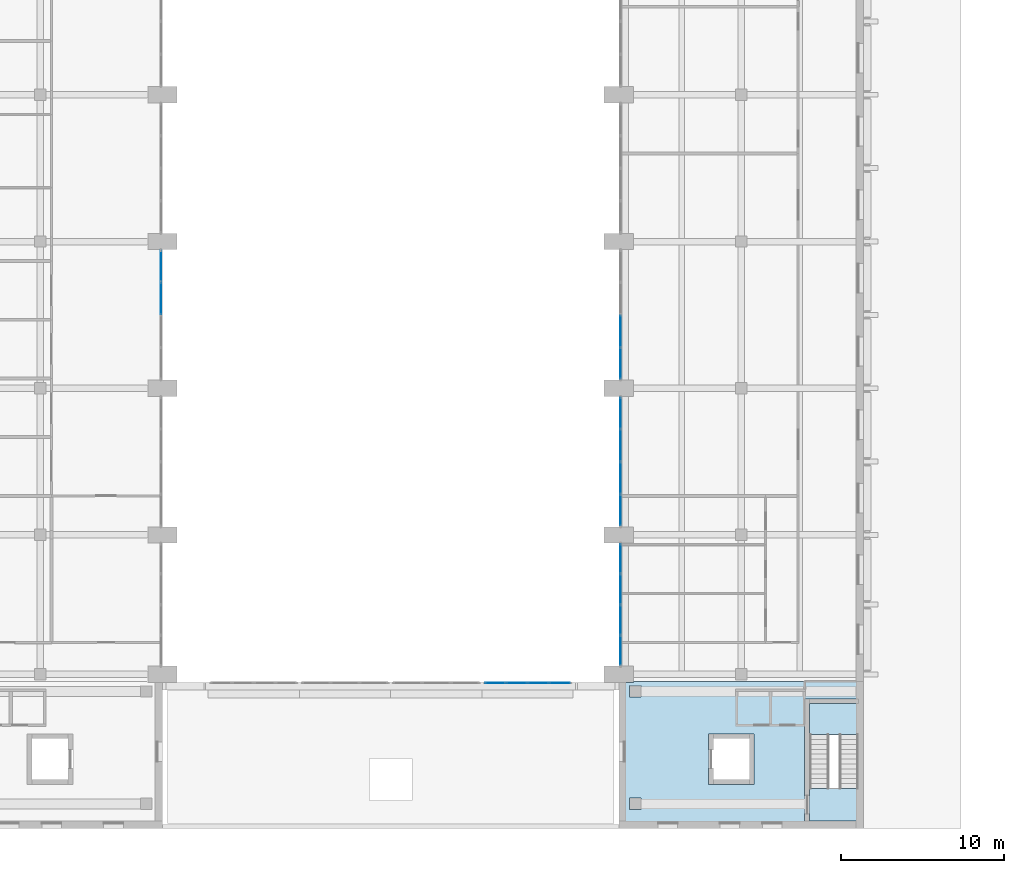
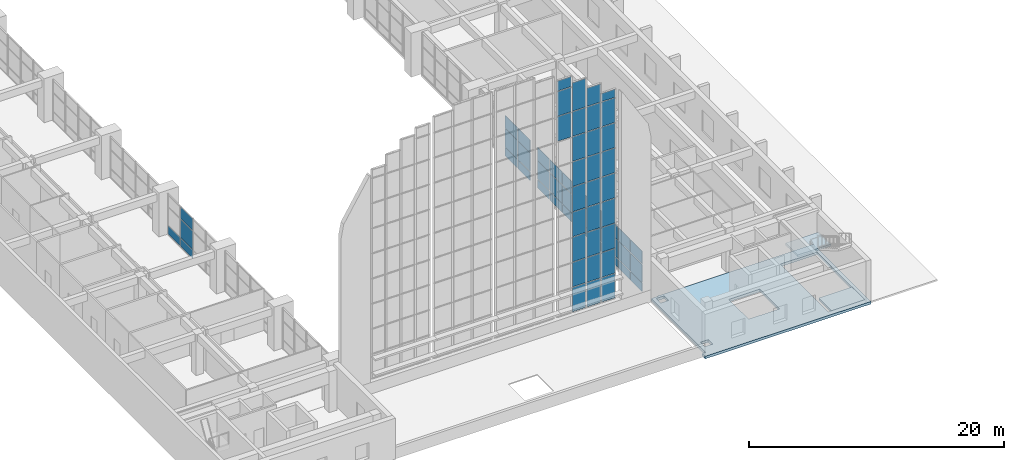
# One storey, part 20 of 45: 64 plates, 3 slabs, 9 elements without a shape of their own.
"""IFC4 building model written with IfcOpenShell, lengths in metres."""

from ifc_helpers import new_model, si_unit, direction, frame, origin, origin_2d, place, context, subcontext, project, spatial, polyline, rectangle, outline, extrude, material, layer, layer_set, type_object, element, aggregate, save


model = new_model("IFC4")

# Units and contexts
model_context = context("Model", 3, precision=1e-05, world=origin(), true_north=direction((0.0, 1.0)))
body_context = subcontext(model_context, "Body", "Model", "MODEL_VIEW")
ifc_project = project(units=[si_unit("LENGTHUNIT", "METRE"), si_unit("AREAUNIT", "SQUARE_METRE"), si_unit("VOLUMEUNIT", "CUBIC_METRE"), si_unit("PLANEANGLEUNIT", "RADIAN"), si_unit("MASSUNIT", "GRAM", prefix="KILO")], contexts=[model_context])

# Site, building, storey
site_placement = place(None, origin())
site = spatial("IfcSite", under=ifc_project, at=site_placement, CompositionType="ELEMENT")
building_placement = place(site_placement, origin())
building = spatial("IfcBuilding", under=site, at=building_placement, Name="Elmora Arch Market Hall", CompositionType="ELEMENT")
storey_placement = place(building_placement, frame((0.0, 0.0, 6.0)))
storey = spatial("IfcBuildingStorey", under=building, at=storey_placement, Name="L01", CompositionType="ELEMENT", Elevation=6.0)

# Slab
ifc_material_1 = material(Name="Concrete C32/40", Category="concrete")
ifc_layer_1 = layer(ifc_material_1, 0.25)
ifc_layer_set_1 = layer_set([ifc_layer_1], Name="Concrete C32/40")
slab_type_1 = type_object("IfcSlabType", Name="Floor slab 250", PredefinedType="FLOOR", material=ifc_layer_set_1)
slab_1_placement = place(storey_placement, frame((0.0, 0.0, -0.25)))
element("IfcSlab", 1, at=slab_1_placement, inside=storey, type_object=slab_type_1, Name="L01 floor slab SE", PredefinedType="FLOOR", context=body_context, shape_type="SweptSolid", body=[
    extrude(outline(polyline([(58.0, 27.0), (58.0, 18.0), (43.0, 18.0), (43.0, 18.448974609375), (43.301025390625, 18.448974609375), (43.301025390625, 26.948974609375), (43.90087890625, 26.948974609375), (43.90087890625, 27.0), (58.0, 27.0)]), holes=[polyline([(54.39892578125, 25.950927734375), (54.39892578125, 18.448974609375), (57.700927734375, 18.448974609375), (57.700927734375, 25.950927734375), (54.39892578125, 25.950927734375)]), polyline([(48.4990234375, 23.801025390625), (48.4990234375, 20.698974609375), (51.301025390625, 20.698974609375), (51.301025390625, 23.801025390625), (48.4990234375, 23.801025390625)]), polyline([(43.64892578125, 26.7509765625), (43.64892578125, 26.049072265625), (44.35107421875, 26.049072265625), (44.35107421875, 26.7509765625), (43.64892578125, 26.7509765625)]), polyline([(43.64892578125, 19.85107421875), (43.64892578125, 19.14892578125), (44.35107421875, 19.14892578125), (44.35107421875, 19.85107421875), (43.64892578125, 19.85107421875)])]), origin(), (0.0, 0.0, 1.0), 0.25),
])

# Curtain wall, plates
ifc_material_2 = material(Name="Aluminium", Category="aluminium")
curtain_wall_type_1 = type_object("IfcCurtainWallType", Name="Hall front curtain wall", PredefinedType="NOTDEFINED", material=ifc_material_2)
curtain_wall_1_placement = place(storey_placement, origin())
curtain_wall_1 = element("IfcCurtainWall", 2, at=curtain_wall_1_placement, inside=storey, type_object=curtain_wall_type_1, Name="Wing front W L01 3", PredefinedType="NOTDEFINED")
ifc_material_3 = material(Name="Glass", Category="glass")
ifc_layer_2 = layer(ifc_material_3, 0.028076171875)
ifc_layer_set_2 = layer_set([ifc_layer_2], Name="Glass")
plate_type = type_object("IfcPlateType", Name="Glass panel 28", PredefinedType="CURTAIN_PANEL", material=ifc_layer_set_2)
plate_1_placement = place(storey_placement, frame((14.89990234375, 50.5, 0.06005859375), z_axis=(0.0, 0.0, 1.0), x_axis=(0.0, 1.0, 0.0)))
plate_1 = element("IfcPlate", 3, at=plate_1_placement, type_object=plate_type, Name="CW2 panel 3.1", PredefinedType="CURTAIN_PANEL", context=body_context, shape_type="SweptSolid", body=[
    extrude(rectangle(XDim=1.919921875, YDim=0.028076171875, at=origin_2d()), origin(), (0.0, 0.0, 1.0), 0.81005859375),
])
plate_2_placement = place(storey_placement, frame((14.89990234375, 50.5, 0.93017578125), z_axis=(0.0, 0.0, 1.0), x_axis=(0.0, 1.0, 0.0)))
plate_2 = element("IfcPlate", 4, at=plate_2_placement, type_object=plate_type, Name="CW2 panel 3.2", PredefinedType="CURTAIN_PANEL", context=body_context, shape_type="SweptSolid", body=[
    extrude(rectangle(XDim=1.919921875, YDim=0.028076171875, at=origin_2d()), origin(), (0.0, 0.0, 1.0), 1.739990234375),
])
plate_3_placement = place(storey_placement, frame((14.89990234375, 50.5, 2.72998046875), z_axis=(0.0, 0.0, 1.0), x_axis=(0.0, 1.0, 0.0)))
plate_3 = element("IfcPlate", 5, at=plate_3_placement, type_object=plate_type, Name="CW2 panel 3.3", PredefinedType="CURTAIN_PANEL", context=body_context, shape_type="SweptSolid", body=[
    extrude(rectangle(XDim=1.919921875, YDim=0.028076171875, at=origin_2d()), origin(), (0.0, 0.0, 1.0), 1.110107421875),
])
plate_4_placement = place(storey_placement, frame((14.89990234375, 52.47998046875, 0.06005859375), z_axis=(0.0, 0.0, 1.0), x_axis=(0.0, 1.0, 0.0)))
plate_4 = element("IfcPlate", 6, at=plate_4_placement, type_object=plate_type, Name="CW2 panel 4.1", PredefinedType="CURTAIN_PANEL", context=body_context, shape_type="SweptSolid", body=[
    extrude(rectangle(XDim=1.8798828125, YDim=0.028076171875, at=origin_2d()), origin(), (0.0, 0.0, 1.0), 0.81005859375),
])
aggregate(curtain_wall_1, [plate_1, plate_2, plate_3, plate_4])

curtain_wall_2_placement = place(storey_placement, origin())
curtain_wall_2 = element("IfcCurtainWall", 7, at=curtain_wall_2_placement, inside=storey, type_object=curtain_wall_type_1, Name="Wing front E L01 1", PredefinedType="NOTDEFINED")
plate_5_placement = place(storey_placement, frame((43.10009765625, 28.913818359375, 0.06005859375), z_axis=(0.0, 0.0, 1.0), x_axis=(0.0, 1.0, 0.0)))
plate_5 = element("IfcPlate", 8, at=plate_5_placement, type_object=plate_type, Name="CW2 panel 1.1", PredefinedType="CURTAIN_PANEL", context=body_context, shape_type="SweptSolid", body=[
    extrude(rectangle(XDim=1.767578125, YDim=0.028076171875, at=origin_2d()), origin(), (0.0, 0.0, 1.0), 0.81005859375),
])
plate_6_placement = place(storey_placement, frame((43.10009765625, 28.913818359375, 0.93017578125), z_axis=(0.0, 0.0, 1.0), x_axis=(0.0, 1.0, 0.0)))
plate_6 = element("IfcPlate", 9, at=plate_6_placement, type_object=plate_type, Name="CW2 panel 1.2", PredefinedType="CURTAIN_PANEL", context=body_context, shape_type="SweptSolid", body=[
    extrude(rectangle(XDim=1.767578125, YDim=0.028076171875, at=origin_2d()), origin(), (0.0, 0.0, 1.0), 1.739990234375),
])
plate_7_placement = place(storey_placement, frame((43.10009765625, 28.913818359375, 2.72998046875), z_axis=(0.0, 0.0, 1.0), x_axis=(0.0, 1.0, 0.0)))
plate_7 = element("IfcPlate", 10, at=plate_7_placement, type_object=plate_type, Name="CW2 panel 1.3", PredefinedType="CURTAIN_PANEL", context=body_context, shape_type="SweptSolid", body=[
    extrude(rectangle(XDim=1.767578125, YDim=0.028076171875, at=origin_2d()), origin(), (0.0, 0.0, 1.0), 1.2099609375),
])
plate_8_placement = place(storey_placement, frame((43.10009765625, 30.78125, 0.06005859375), z_axis=(0.0, 0.0, 1.0), x_axis=(0.0, 1.0, 0.0)))
plate_8 = element("IfcPlate", 11, at=plate_8_placement, type_object=plate_type, Name="CW2 panel 2.1", PredefinedType="CURTAIN_PANEL", context=body_context, shape_type="SweptSolid", body=[
    extrude(rectangle(XDim=1.8076171875, YDim=0.028076171875, at=origin_2d()), origin(), (0.0, 0.0, 1.0), 0.81005859375),
])
plate_9_placement = place(storey_placement, frame((43.10009765625, 30.78125, 0.93017578125), z_axis=(0.0, 0.0, 1.0), x_axis=(0.0, 1.0, 0.0)))
plate_9 = element("IfcPlate", 12, at=plate_9_placement, type_object=plate_type, Name="CW2 panel 2.2", PredefinedType="CURTAIN_PANEL", context=body_context, shape_type="SweptSolid", body=[
    extrude(rectangle(XDim=1.8076171875, YDim=0.028076171875, at=origin_2d()), origin(), (0.0, 0.0, 1.0), 1.739990234375),
])
plate_10_placement = place(storey_placement, frame((43.10009765625, 30.78125, 2.72998046875), z_axis=(0.0, 0.0, 1.0), x_axis=(0.0, 1.0, 0.0)))
plate_10 = element("IfcPlate", 13, at=plate_10_placement, type_object=plate_type, Name="CW2 panel 2.3", PredefinedType="CURTAIN_PANEL", context=body_context, shape_type="SweptSolid", body=[
    extrude(rectangle(XDim=1.8076171875, YDim=0.028076171875, at=origin_2d()), origin(), (0.0, 0.0, 1.0), 1.2099609375),
])
plate_11_placement = place(storey_placement, frame((43.10009765625, 32.668701171875, 0.06005859375), z_axis=(0.0, 0.0, 1.0), x_axis=(0.0, 1.0, 0.0)))
plate_11 = element("IfcPlate", 14, at=plate_11_placement, type_object=plate_type, Name="CW2 panel 3.1", PredefinedType="CURTAIN_PANEL", context=body_context, shape_type="SweptSolid", body=[
    extrude(rectangle(XDim=1.8076171875, YDim=0.028076171875, at=origin_2d()), origin(), (0.0, 0.0, 1.0), 0.81005859375),
])
plate_12_placement = place(storey_placement, frame((43.10009765625, 32.668701171875, 0.93017578125), z_axis=(0.0, 0.0, 1.0), x_axis=(0.0, 1.0, 0.0)))
plate_12 = element("IfcPlate", 15, at=plate_12_placement, type_object=plate_type, Name="CW2 panel 3.2", PredefinedType="CURTAIN_PANEL", context=body_context, shape_type="SweptSolid", body=[
    extrude(rectangle(XDim=1.8076171875, YDim=0.028076171875, at=origin_2d()), origin(), (0.0, 0.0, 1.0), 1.739990234375),
])
plate_13_placement = place(storey_placement, frame((43.10009765625, 32.668701171875, 2.72998046875), z_axis=(0.0, 0.0, 1.0), x_axis=(0.0, 1.0, 0.0)))
plate_13 = element("IfcPlate", 16, at=plate_13_placement, type_object=plate_type, Name="CW2 panel 3.3", PredefinedType="CURTAIN_PANEL", context=body_context, shape_type="SweptSolid", body=[
    extrude(rectangle(XDim=1.8076171875, YDim=0.028076171875, at=origin_2d()), origin(), (0.0, 0.0, 1.0), 1.2099609375),
])
plate_14_placement = place(storey_placement, frame((43.10009765625, 34.5361328125, 0.06005859375), z_axis=(0.0, 0.0, 1.0), x_axis=(0.0, 1.0, 0.0)))
plate_14 = element("IfcPlate", 17, at=plate_14_placement, type_object=plate_type, Name="CW2 panel 4.1", PredefinedType="CURTAIN_PANEL", context=body_context, shape_type="SweptSolid", body=[
    extrude(rectangle(XDim=1.767578125, YDim=0.028076171875, at=origin_2d()), origin(), (0.0, 0.0, 1.0), 0.81005859375),
])
plate_15_placement = place(storey_placement, frame((43.10009765625, 34.5361328125, 0.93017578125), z_axis=(0.0, 0.0, 1.0), x_axis=(0.0, 1.0, 0.0)))
plate_15 = element("IfcPlate", 18, at=plate_15_placement, type_object=plate_type, Name="CW2 panel 4.2", PredefinedType="CURTAIN_PANEL", context=body_context, shape_type="SweptSolid", body=[
    extrude(rectangle(XDim=1.767578125, YDim=0.028076171875, at=origin_2d()), origin(), (0.0, 0.0, 1.0), 1.739990234375),
])
plate_16_placement = place(storey_placement, frame((43.10009765625, 34.5361328125, 2.72998046875), z_axis=(0.0, 0.0, 1.0), x_axis=(0.0, 1.0, 0.0)))
plate_16 = element("IfcPlate", 19, at=plate_16_placement, type_object=plate_type, Name="CW2 panel 4.3", PredefinedType="CURTAIN_PANEL", context=body_context, shape_type="SweptSolid", body=[
    extrude(rectangle(XDim=1.767578125, YDim=0.028076171875, at=origin_2d()), origin(), (0.0, 0.0, 1.0), 1.2099609375),
])
aggregate(curtain_wall_2, [plate_5, plate_6, plate_7, plate_8, plate_9, plate_10, plate_11, plate_12, plate_13, plate_14, plate_15, plate_16])

curtain_wall_3_placement = place(storey_placement, origin())
curtain_wall_3 = element("IfcCurtainWall", 20, at=curtain_wall_3_placement, inside=storey, type_object=curtain_wall_type_1, Name="Wing front E L01 2", PredefinedType="NOTDEFINED")
plate_17_placement = place(storey_placement, frame((43.10009765625, 37.52001953125, 0.06005859375), z_axis=(0.0, 0.0, 1.0), x_axis=(0.0, 1.0, 0.0)))
plate_17 = element("IfcPlate", 21, at=plate_17_placement, type_object=plate_type, Name="CW2 panel 1.1", PredefinedType="CURTAIN_PANEL", context=body_context, shape_type="SweptSolid", body=[
    extrude(rectangle(XDim=1.8798828125, YDim=0.028076171875, at=origin_2d()), origin(), (0.0, 0.0, 1.0), 0.81005859375),
])
plate_18_placement = place(storey_placement, frame((43.10009765625, 37.52001953125, 0.93017578125), z_axis=(0.0, 0.0, 1.0), x_axis=(0.0, 1.0, 0.0)))
plate_18 = element("IfcPlate", 22, at=plate_18_placement, type_object=plate_type, Name="CW2 panel 1.2", PredefinedType="CURTAIN_PANEL", context=body_context, shape_type="SweptSolid", body=[
    extrude(rectangle(XDim=1.8798828125, YDim=0.028076171875, at=origin_2d()), origin(), (0.0, 0.0, 1.0), 1.739990234375),
])
plate_19_placement = place(storey_placement, frame((43.10009765625, 37.52001953125, 2.72998046875), z_axis=(0.0, 0.0, 1.0), x_axis=(0.0, 1.0, 0.0)))
plate_19 = element("IfcPlate", 23, at=plate_19_placement, type_object=plate_type, Name="CW2 panel 1.3", PredefinedType="CURTAIN_PANEL", context=body_context, shape_type="SweptSolid", body=[
    extrude(rectangle(XDim=1.8798828125, YDim=0.028076171875, at=origin_2d()), origin(), (0.0, 0.0, 1.0), 1.2099609375),
])
plate_20_placement = place(storey_placement, frame((43.10009765625, 39.5, 0.06005859375), z_axis=(0.0, 0.0, 1.0), x_axis=(0.0, 1.0, 0.0)))
plate_20 = element("IfcPlate", 24, at=plate_20_placement, type_object=plate_type, Name="CW2 panel 2.1", PredefinedType="CURTAIN_PANEL", context=body_context, shape_type="SweptSolid", body=[
    extrude(rectangle(XDim=1.919921875, YDim=0.028076171875, at=origin_2d()), origin(), (0.0, 0.0, 1.0), 0.81005859375),
])
plate_21_placement = place(storey_placement, frame((43.10009765625, 39.5, 0.93017578125), z_axis=(0.0, 0.0, 1.0), x_axis=(0.0, 1.0, 0.0)))
plate_21 = element("IfcPlate", 25, at=plate_21_placement, type_object=plate_type, Name="CW2 panel 2.2", PredefinedType="CURTAIN_PANEL", context=body_context, shape_type="SweptSolid", body=[
    extrude(rectangle(XDim=1.919921875, YDim=0.028076171875, at=origin_2d()), origin(), (0.0, 0.0, 1.0), 1.739990234375),
])
plate_22_placement = place(storey_placement, frame((43.10009765625, 39.5, 2.72998046875), z_axis=(0.0, 0.0, 1.0), x_axis=(0.0, 1.0, 0.0)))
plate_22 = element("IfcPlate", 26, at=plate_22_placement, type_object=plate_type, Name="CW2 panel 2.3", PredefinedType="CURTAIN_PANEL", context=body_context, shape_type="SweptSolid", body=[
    extrude(rectangle(XDim=1.919921875, YDim=0.028076171875, at=origin_2d()), origin(), (0.0, 0.0, 1.0), 1.2099609375),
])
plate_23_placement = place(storey_placement, frame((43.10009765625, 41.5, 0.06005859375), z_axis=(0.0, 0.0, 1.0), x_axis=(0.0, 1.0, 0.0)))
plate_23 = element("IfcPlate", 27, at=plate_23_placement, type_object=plate_type, Name="CW2 panel 3.1", PredefinedType="CURTAIN_PANEL", context=body_context, shape_type="SweptSolid", body=[
    extrude(rectangle(XDim=1.919921875, YDim=0.028076171875, at=origin_2d()), origin(), (0.0, 0.0, 1.0), 0.81005859375),
])
plate_24_placement = place(storey_placement, frame((43.10009765625, 41.5, 0.93017578125), z_axis=(0.0, 0.0, 1.0), x_axis=(0.0, 1.0, 0.0)))
plate_24 = element("IfcPlate", 28, at=plate_24_placement, type_object=plate_type, Name="CW2 panel 3.2", PredefinedType="CURTAIN_PANEL", context=body_context, shape_type="SweptSolid", body=[
    extrude(rectangle(XDim=1.919921875, YDim=0.028076171875, at=origin_2d()), origin(), (0.0, 0.0, 1.0), 1.739990234375),
])
plate_25_placement = place(storey_placement, frame((43.10009765625, 41.5, 2.72998046875), z_axis=(0.0, 0.0, 1.0), x_axis=(0.0, 1.0, 0.0)))
plate_25 = element("IfcPlate", 29, at=plate_25_placement, type_object=plate_type, Name="CW2 panel 3.3", PredefinedType="CURTAIN_PANEL", context=body_context, shape_type="SweptSolid", body=[
    extrude(rectangle(XDim=1.919921875, YDim=0.028076171875, at=origin_2d()), origin(), (0.0, 0.0, 1.0), 1.2099609375),
])
plate_26_placement = place(storey_placement, frame((43.10009765625, 43.47998046875, 0.06005859375), z_axis=(0.0, 0.0, 1.0), x_axis=(0.0, 1.0, 0.0)))
plate_26 = element("IfcPlate", 30, at=plate_26_placement, type_object=plate_type, Name="CW2 panel 4.1", PredefinedType="CURTAIN_PANEL", context=body_context, shape_type="SweptSolid", body=[
    extrude(rectangle(XDim=1.8798828125, YDim=0.028076171875, at=origin_2d()), origin(), (0.0, 0.0, 1.0), 0.81005859375),
])
plate_27_placement = place(storey_placement, frame((43.10009765625, 43.47998046875, 0.93017578125), z_axis=(0.0, 0.0, 1.0), x_axis=(0.0, 1.0, 0.0)))
plate_27 = element("IfcPlate", 31, at=plate_27_placement, type_object=plate_type, Name="CW2 panel 4.2", PredefinedType="CURTAIN_PANEL", context=body_context, shape_type="SweptSolid", body=[
    extrude(rectangle(XDim=1.8798828125, YDim=0.028076171875, at=origin_2d()), origin(), (0.0, 0.0, 1.0), 1.739990234375),
])
plate_28_placement = place(storey_placement, frame((43.10009765625, 43.47998046875, 2.72998046875), z_axis=(0.0, 0.0, 1.0), x_axis=(0.0, 1.0, 0.0)))
plate_28 = element("IfcPlate", 32, at=plate_28_placement, type_object=plate_type, Name="CW2 panel 4.3", PredefinedType="CURTAIN_PANEL", context=body_context, shape_type="SweptSolid", body=[
    extrude(rectangle(XDim=1.8798828125, YDim=0.028076171875, at=origin_2d()), origin(), (0.0, 0.0, 1.0), 1.2099609375),
])
aggregate(curtain_wall_3, [plate_17, plate_18, plate_19, plate_20, plate_21, plate_22, plate_23, plate_24, plate_25, plate_26, plate_27, plate_28])

curtain_wall_4_placement = place(storey_placement, origin())
curtain_wall_4 = element("IfcCurtainWall", 33, at=curtain_wall_4_placement, inside=storey, type_object=curtain_wall_type_1, Name="Wing front E L01 3", PredefinedType="NOTDEFINED")
plate_29_placement = place(storey_placement, frame((43.10009765625, 46.52001953125, 0.06005859375), z_axis=(0.0, 0.0, 1.0), x_axis=(0.0, 1.0, 0.0)))
plate_29 = element("IfcPlate", 34, at=plate_29_placement, type_object=plate_type, Name="CW2 panel 1.1", PredefinedType="CURTAIN_PANEL", context=body_context, shape_type="SweptSolid", body=[
    extrude(rectangle(XDim=1.8798828125, YDim=0.028076171875, at=origin_2d()), origin(), (0.0, 0.0, 1.0), 0.81005859375),
])
plate_30_placement = place(storey_placement, frame((43.10009765625, 46.52001953125, 0.93017578125), z_axis=(0.0, 0.0, 1.0), x_axis=(0.0, 1.0, 0.0)))
plate_30 = element("IfcPlate", 35, at=plate_30_placement, type_object=plate_type, Name="CW2 panel 1.2", PredefinedType="CURTAIN_PANEL", context=body_context, shape_type="SweptSolid", body=[
    extrude(rectangle(XDim=1.8798828125, YDim=0.028076171875, at=origin_2d()), origin(), (0.0, 0.0, 1.0), 1.739990234375),
])
plate_31_placement = place(storey_placement, frame((43.10009765625, 46.52001953125, 2.72998046875), z_axis=(0.0, 0.0, 1.0), x_axis=(0.0, 1.0, 0.0)))
plate_31 = element("IfcPlate", 36, at=plate_31_placement, type_object=plate_type, Name="CW2 panel 1.3", PredefinedType="CURTAIN_PANEL", context=body_context, shape_type="SweptSolid", body=[
    extrude(rectangle(XDim=1.8798828125, YDim=0.028076171875, at=origin_2d()), origin(), (0.0, 0.0, 1.0), 1.2099609375),
])
plate_32_placement = place(storey_placement, frame((43.10009765625, 48.5, 0.06005859375), z_axis=(0.0, 0.0, 1.0), x_axis=(0.0, 1.0, 0.0)))
plate_32 = element("IfcPlate", 37, at=plate_32_placement, type_object=plate_type, Name="CW2 panel 2.1", PredefinedType="CURTAIN_PANEL", context=body_context, shape_type="SweptSolid", body=[
    extrude(rectangle(XDim=1.919921875, YDim=0.028076171875, at=origin_2d()), origin(), (0.0, 0.0, 1.0), 0.81005859375),
])
plate_33_placement = place(storey_placement, frame((43.10009765625, 48.5, 0.93017578125), z_axis=(0.0, 0.0, 1.0), x_axis=(0.0, 1.0, 0.0)))
plate_33 = element("IfcPlate", 38, at=plate_33_placement, type_object=plate_type, Name="CW2 panel 2.2", PredefinedType="CURTAIN_PANEL", context=body_context, shape_type="SweptSolid", body=[
    extrude(rectangle(XDim=1.919921875, YDim=0.028076171875, at=origin_2d()), origin(), (0.0, 0.0, 1.0), 1.739990234375),
])
plate_34_placement = place(storey_placement, frame((43.10009765625, 48.5, 2.72998046875), z_axis=(0.0, 0.0, 1.0), x_axis=(0.0, 1.0, 0.0)))
plate_34 = element("IfcPlate", 39, at=plate_34_placement, type_object=plate_type, Name="CW2 panel 2.3", PredefinedType="CURTAIN_PANEL", context=body_context, shape_type="SweptSolid", body=[
    extrude(rectangle(XDim=1.919921875, YDim=0.028076171875, at=origin_2d()), origin(), (0.0, 0.0, 1.0), 1.2099609375),
])
aggregate(curtain_wall_4, [plate_29, plate_30, plate_31, plate_32, plate_33, plate_34])

ifc_material_4 = material(Name="Aluminium", Category="aluminium")
curtain_wall_type_2 = type_object("IfcCurtainWallType", Name="Gable curtain wall", PredefinedType="NOTDEFINED", material=ifc_material_4)
curtain_wall_5_placement = place(storey_placement, origin())
curtain_wall_5 = element("IfcCurtainWall", 40, at=curtain_wall_5_placement, inside=storey, type_object=curtain_wall_type_2, Name="South gable glazing 11", PredefinedType="NOTDEFINED")
plate_35_placement = place(storey_placement, frame((35.41259765625, 26.919921875, 18.02978515625), z_axis=(0.0, 0.0, 1.0), x_axis=(1.0, 0.0, 0.0)))
plate_35 = element("IfcPlate", 41, at=plate_35_placement, type_object=plate_type, Name="CW8 panel 1.8", PredefinedType="CURTAIN_PANEL", context=body_context, shape_type="SweptSolid", body=[
    extrude(rectangle(XDim=1.205078125, YDim=0.028076171875, at=origin_2d()), origin(), (0.0, 0.0, 1.0), 2.340087890625),
])
plate_36_placement = place(storey_placement, frame((35.41259765625, 26.919921875, 20.43017578125), z_axis=(0.0, 0.0, 1.0), x_axis=(1.0, 0.0, 0.0)))
plate_36 = element("IfcPlate", 42, at=plate_36_placement, type_object=plate_type, Name="CW8 panel 1.9", PredefinedType="CURTAIN_PANEL", context=body_context, shape_type="SweptSolid", body=[
    extrude(rectangle(XDim=1.205078125, YDim=0.028076171875, at=origin_2d()), origin(), (0.0, 0.0, 1.0), 2.340087890625),
])
plate_37_placement = place(storey_placement, frame((35.41259765625, 26.919921875, 22.830078125), z_axis=(0.0, 0.0, 1.0), x_axis=(1.0, 0.0, 0.0)))
plate_37 = element("IfcPlate", 43, at=plate_37_placement, type_object=plate_type, Name="CW8 panel 1.10", PredefinedType="CURTAIN_PANEL", context=body_context, shape_type="SweptSolid", body=[
    extrude(rectangle(XDim=1.205078125, YDim=0.028076171875, at=origin_2d()), origin(), (0.0, 0.0, 1.0), 0.955078125),
])
aggregate(curtain_wall_5, [plate_35, plate_36, plate_37])

curtain_wall_6_placement = place(storey_placement, origin())
curtain_wall_6 = element("IfcCurtainWall", 44, at=curtain_wall_6_placement, inside=storey, type_object=curtain_wall_type_2, Name="South gable glazing 12", PredefinedType="NOTDEFINED")
plate_38_placement = place(storey_placement, frame((36.737548828125, 26.919921875, 1.260009765625), z_axis=(0.0, 0.0, 1.0), x_axis=(1.0, 0.0, 0.0)))
plate_38 = element("IfcPlate", 45, at=plate_38_placement, type_object=plate_type, Name="CW8 panel 1.1", PredefinedType="CURTAIN_PANEL", context=body_context, shape_type="SweptSolid", body=[
    extrude(rectangle(XDim=1.205078125, YDim=0.028076171875, at=origin_2d()), origin(), (0.0, 0.0, 1.0), 2.31005859375),
])
plate_39_placement = place(storey_placement, frame((36.737548828125, 26.919921875, 3.6298828125), z_axis=(0.0, 0.0, 1.0), x_axis=(1.0, 0.0, 0.0)))
plate_39 = element("IfcPlate", 46, at=plate_39_placement, type_object=plate_type, Name="CW8 panel 1.2", PredefinedType="CURTAIN_PANEL", context=body_context, shape_type="SweptSolid", body=[
    extrude(rectangle(XDim=1.205078125, YDim=0.028076171875, at=origin_2d()), origin(), (0.0, 0.0, 1.0), 2.340087890625),
])
plate_40_placement = place(storey_placement, frame((36.737548828125, 26.919921875, 6.02978515625), z_axis=(0.0, 0.0, 1.0), x_axis=(1.0, 0.0, 0.0)))
plate_40 = element("IfcPlate", 47, at=plate_40_placement, type_object=plate_type, Name="CW8 panel 1.3", PredefinedType="CURTAIN_PANEL", context=body_context, shape_type="SweptSolid", body=[
    extrude(rectangle(XDim=1.205078125, YDim=0.028076171875, at=origin_2d()), origin(), (0.0, 0.0, 1.0), 2.340087890625),
])
plate_41_placement = place(storey_placement, frame((36.737548828125, 26.919921875, 8.43017578125), z_axis=(0.0, 0.0, 1.0), x_axis=(1.0, 0.0, 0.0)))
plate_41 = element("IfcPlate", 48, at=plate_41_placement, type_object=plate_type, Name="CW8 panel 1.4", PredefinedType="CURTAIN_PANEL", context=body_context, shape_type="SweptSolid", body=[
    extrude(rectangle(XDim=1.205078125, YDim=0.028076171875, at=origin_2d()), origin(), (0.0, 0.0, 1.0), 2.340087890625),
])
plate_42_placement = place(storey_placement, frame((36.737548828125, 26.919921875, 10.830078125), z_axis=(0.0, 0.0, 1.0), x_axis=(1.0, 0.0, 0.0)))
plate_42 = element("IfcPlate", 49, at=plate_42_placement, type_object=plate_type, Name="CW8 panel 1.5", PredefinedType="CURTAIN_PANEL", context=body_context, shape_type="SweptSolid", body=[
    extrude(rectangle(XDim=1.205078125, YDim=0.028076171875, at=origin_2d()), origin(), (0.0, 0.0, 1.0), 2.340087890625),
])
plate_43_placement = place(storey_placement, frame((36.737548828125, 26.919921875, 13.22998046875), z_axis=(0.0, 0.0, 1.0), x_axis=(1.0, 0.0, 0.0)))
plate_43 = element("IfcPlate", 50, at=plate_43_placement, type_object=plate_type, Name="CW8 panel 1.6", PredefinedType="CURTAIN_PANEL", context=body_context, shape_type="SweptSolid", body=[
    extrude(rectangle(XDim=1.205078125, YDim=0.028076171875, at=origin_2d()), origin(), (0.0, 0.0, 1.0), 2.340087890625),
])
plate_44_placement = place(storey_placement, frame((36.737548828125, 26.919921875, 15.6298828125), z_axis=(0.0, 0.0, 1.0), x_axis=(1.0, 0.0, 0.0)))
plate_44 = element("IfcPlate", 51, at=plate_44_placement, type_object=plate_type, Name="CW8 panel 1.7", PredefinedType="CURTAIN_PANEL", context=body_context, shape_type="SweptSolid", body=[
    extrude(rectangle(XDim=1.205078125, YDim=0.028076171875, at=origin_2d()), origin(), (0.0, 0.0, 1.0), 2.340087890625),
])
plate_45_placement = place(storey_placement, frame((36.737548828125, 26.919921875, 18.02978515625), z_axis=(0.0, 0.0, 1.0), x_axis=(1.0, 0.0, 0.0)))
plate_45 = element("IfcPlate", 52, at=plate_45_placement, type_object=plate_type, Name="CW8 panel 1.8", PredefinedType="CURTAIN_PANEL", context=body_context, shape_type="SweptSolid", body=[
    extrude(rectangle(XDim=1.205078125, YDim=0.028076171875, at=origin_2d()), origin(), (0.0, 0.0, 1.0), 2.340087890625),
])
plate_46_placement = place(storey_placement, frame((36.737548828125, 26.919921875, 20.43017578125), z_axis=(0.0, 0.0, 1.0), x_axis=(1.0, 0.0, 0.0)))
plate_46 = element("IfcPlate", 53, at=plate_46_placement, type_object=plate_type, Name="CW8 panel 1.9", PredefinedType="CURTAIN_PANEL", context=body_context, shape_type="SweptSolid", body=[
    extrude(rectangle(XDim=1.205078125, YDim=0.028076171875, at=origin_2d()), origin(), (0.0, 0.0, 1.0), 2.717041015625),
])
aggregate(curtain_wall_6, [plate_38, plate_39, plate_40, plate_41, plate_42, plate_43, plate_44, plate_45, plate_46])

curtain_wall_7_placement = place(storey_placement, origin())
curtain_wall_7 = element("IfcCurtainWall", 54, at=curtain_wall_7_placement, inside=storey, type_object=curtain_wall_type_2, Name="South gable glazing 13", PredefinedType="NOTDEFINED")
plate_47_placement = place(storey_placement, frame((38.0625, 26.919921875, 1.260009765625), z_axis=(0.0, 0.0, 1.0), x_axis=(1.0, 0.0, 0.0)))
plate_47 = element("IfcPlate", 55, at=plate_47_placement, type_object=plate_type, Name="CW8 panel 1.1", PredefinedType="CURTAIN_PANEL", context=body_context, shape_type="SweptSolid", body=[
    extrude(rectangle(XDim=1.205078125, YDim=0.028076171875, at=origin_2d()), origin(), (0.0, 0.0, 1.0), 2.31005859375),
])
plate_48_placement = place(storey_placement, frame((38.0625, 26.919921875, 3.6298828125), z_axis=(0.0, 0.0, 1.0), x_axis=(1.0, 0.0, 0.0)))
plate_48 = element("IfcPlate", 56, at=plate_48_placement, type_object=plate_type, Name="CW8 panel 1.2", PredefinedType="CURTAIN_PANEL", context=body_context, shape_type="SweptSolid", body=[
    extrude(rectangle(XDim=1.205078125, YDim=0.028076171875, at=origin_2d()), origin(), (0.0, 0.0, 1.0), 2.340087890625),
])
plate_49_placement = place(storey_placement, frame((38.0625, 26.919921875, 6.02978515625), z_axis=(0.0, 0.0, 1.0), x_axis=(1.0, 0.0, 0.0)))
plate_49 = element("IfcPlate", 57, at=plate_49_placement, type_object=plate_type, Name="CW8 panel 1.3", PredefinedType="CURTAIN_PANEL", context=body_context, shape_type="SweptSolid", body=[
    extrude(rectangle(XDim=1.205078125, YDim=0.028076171875, at=origin_2d()), origin(), (0.0, 0.0, 1.0), 2.340087890625),
])
plate_50_placement = place(storey_placement, frame((38.0625, 26.919921875, 8.43017578125), z_axis=(0.0, 0.0, 1.0), x_axis=(1.0, 0.0, 0.0)))
plate_50 = element("IfcPlate", 58, at=plate_50_placement, type_object=plate_type, Name="CW8 panel 1.4", PredefinedType="CURTAIN_PANEL", context=body_context, shape_type="SweptSolid", body=[
    extrude(rectangle(XDim=1.205078125, YDim=0.028076171875, at=origin_2d()), origin(), (0.0, 0.0, 1.0), 2.340087890625),
])
plate_51_placement = place(storey_placement, frame((38.0625, 26.919921875, 10.830078125), z_axis=(0.0, 0.0, 1.0), x_axis=(1.0, 0.0, 0.0)))
plate_51 = element("IfcPlate", 59, at=plate_51_placement, type_object=plate_type, Name="CW8 panel 1.5", PredefinedType="CURTAIN_PANEL", context=body_context, shape_type="SweptSolid", body=[
    extrude(rectangle(XDim=1.205078125, YDim=0.028076171875, at=origin_2d()), origin(), (0.0, 0.0, 1.0), 2.340087890625),
])
plate_52_placement = place(storey_placement, frame((38.0625, 26.919921875, 13.22998046875), z_axis=(0.0, 0.0, 1.0), x_axis=(1.0, 0.0, 0.0)))
plate_52 = element("IfcPlate", 60, at=plate_52_placement, type_object=plate_type, Name="CW8 panel 1.6", PredefinedType="CURTAIN_PANEL", context=body_context, shape_type="SweptSolid", body=[
    extrude(rectangle(XDim=1.205078125, YDim=0.028076171875, at=origin_2d()), origin(), (0.0, 0.0, 1.0), 2.340087890625),
])
plate_53_placement = place(storey_placement, frame((38.0625, 26.919921875, 15.6298828125), z_axis=(0.0, 0.0, 1.0), x_axis=(1.0, 0.0, 0.0)))
plate_53 = element("IfcPlate", 61, at=plate_53_placement, type_object=plate_type, Name="CW8 panel 1.7", PredefinedType="CURTAIN_PANEL", context=body_context, shape_type="SweptSolid", body=[
    extrude(rectangle(XDim=1.205078125, YDim=0.028076171875, at=origin_2d()), origin(), (0.0, 0.0, 1.0), 2.340087890625),
])
plate_54_placement = place(storey_placement, frame((38.0625, 26.919921875, 18.02978515625), z_axis=(0.0, 0.0, 1.0), x_axis=(1.0, 0.0, 0.0)))
plate_54 = element("IfcPlate", 62, at=plate_54_placement, type_object=plate_type, Name="CW8 panel 1.8", PredefinedType="CURTAIN_PANEL", context=body_context, shape_type="SweptSolid", body=[
    extrude(rectangle(XDim=1.205078125, YDim=0.028076171875, at=origin_2d()), origin(), (0.0, 0.0, 1.0), 2.340087890625),
])
plate_55_placement = place(storey_placement, frame((38.0625, 26.919921875, 20.43017578125), z_axis=(0.0, 0.0, 1.0), x_axis=(1.0, 0.0, 0.0)))
plate_55 = element("IfcPlate", 63, at=plate_55_placement, type_object=plate_type, Name="CW8 panel 1.9", PredefinedType="CURTAIN_PANEL", context=body_context, shape_type="SweptSolid", body=[
    extrude(rectangle(XDim=1.205078125, YDim=0.028076171875, at=origin_2d()), origin(), (0.0, 0.0, 1.0), 1.741943359375),
])
aggregate(curtain_wall_7, [plate_47, plate_48, plate_49, plate_50, plate_51, plate_52, plate_53, plate_54, plate_55])

curtain_wall_8_placement = place(storey_placement, origin())
curtain_wall_8 = element("IfcCurtainWall", 64, at=curtain_wall_8_placement, inside=storey, type_object=curtain_wall_type_2, Name="South gable glazing 14", PredefinedType="NOTDEFINED")
plate_56_placement = place(storey_placement, frame((39.387451171875, 26.919921875, 1.260009765625), z_axis=(0.0, 0.0, 1.0), x_axis=(1.0, 0.0, 0.0)))
plate_56 = element("IfcPlate", 65, at=plate_56_placement, type_object=plate_type, Name="CW8 panel 1.1", PredefinedType="CURTAIN_PANEL", context=body_context, shape_type="SweptSolid", body=[
    extrude(rectangle(XDim=1.205078125, YDim=0.028076171875, at=origin_2d()), origin(), (0.0, 0.0, 1.0), 2.31005859375),
])
plate_57_placement = place(storey_placement, frame((39.387451171875, 26.919921875, 3.6298828125), z_axis=(0.0, 0.0, 1.0), x_axis=(1.0, 0.0, 0.0)))
plate_57 = element("IfcPlate", 66, at=plate_57_placement, type_object=plate_type, Name="CW8 panel 1.2", PredefinedType="CURTAIN_PANEL", context=body_context, shape_type="SweptSolid", body=[
    extrude(rectangle(XDim=1.205078125, YDim=0.028076171875, at=origin_2d()), origin(), (0.0, 0.0, 1.0), 2.340087890625),
])
plate_58_placement = place(storey_placement, frame((39.387451171875, 26.919921875, 6.02978515625), z_axis=(0.0, 0.0, 1.0), x_axis=(1.0, 0.0, 0.0)))
plate_58 = element("IfcPlate", 67, at=plate_58_placement, type_object=plate_type, Name="CW8 panel 1.3", PredefinedType="CURTAIN_PANEL", context=body_context, shape_type="SweptSolid", body=[
    extrude(rectangle(XDim=1.205078125, YDim=0.028076171875, at=origin_2d()), origin(), (0.0, 0.0, 1.0), 2.340087890625),
])
plate_59_placement = place(storey_placement, frame((39.387451171875, 26.919921875, 8.43017578125), z_axis=(0.0, 0.0, 1.0), x_axis=(1.0, 0.0, 0.0)))
plate_59 = element("IfcPlate", 68, at=plate_59_placement, type_object=plate_type, Name="CW8 panel 1.4", PredefinedType="CURTAIN_PANEL", context=body_context, shape_type="SweptSolid", body=[
    extrude(rectangle(XDim=1.205078125, YDim=0.028076171875, at=origin_2d()), origin(), (0.0, 0.0, 1.0), 2.340087890625),
])
plate_60_placement = place(storey_placement, frame((39.387451171875, 26.919921875, 10.830078125), z_axis=(0.0, 0.0, 1.0), x_axis=(1.0, 0.0, 0.0)))
plate_60 = element("IfcPlate", 69, at=plate_60_placement, type_object=plate_type, Name="CW8 panel 1.5", PredefinedType="CURTAIN_PANEL", context=body_context, shape_type="SweptSolid", body=[
    extrude(rectangle(XDim=1.205078125, YDim=0.028076171875, at=origin_2d()), origin(), (0.0, 0.0, 1.0), 2.340087890625),
])
plate_61_placement = place(storey_placement, frame((39.387451171875, 26.919921875, 13.22998046875), z_axis=(0.0, 0.0, 1.0), x_axis=(1.0, 0.0, 0.0)))
plate_61 = element("IfcPlate", 70, at=plate_61_placement, type_object=plate_type, Name="CW8 panel 1.6", PredefinedType="CURTAIN_PANEL", context=body_context, shape_type="SweptSolid", body=[
    extrude(rectangle(XDim=1.205078125, YDim=0.028076171875, at=origin_2d()), origin(), (0.0, 0.0, 1.0), 2.340087890625),
])
plate_62_placement = place(storey_placement, frame((39.387451171875, 26.919921875, 15.6298828125), z_axis=(0.0, 0.0, 1.0), x_axis=(1.0, 0.0, 0.0)))
plate_62 = element("IfcPlate", 71, at=plate_62_placement, type_object=plate_type, Name="CW8 panel 1.7", PredefinedType="CURTAIN_PANEL", context=body_context, shape_type="SweptSolid", body=[
    extrude(rectangle(XDim=1.205078125, YDim=0.028076171875, at=origin_2d()), origin(), (0.0, 0.0, 1.0), 2.340087890625),
])
plate_63_placement = place(storey_placement, frame((39.387451171875, 26.919921875, 18.02978515625), z_axis=(0.0, 0.0, 1.0), x_axis=(1.0, 0.0, 0.0)))
plate_63 = element("IfcPlate", 72, at=plate_63_placement, type_object=plate_type, Name="CW8 panel 1.8", PredefinedType="CURTAIN_PANEL", context=body_context, shape_type="SweptSolid", body=[
    extrude(rectangle(XDim=1.205078125, YDim=0.028076171875, at=origin_2d()), origin(), (0.0, 0.0, 1.0), 2.340087890625),
])
plate_64_placement = place(storey_placement, frame((39.387451171875, 26.919921875, 20.429931640625), z_axis=(0.0, 0.0, 1.0), x_axis=(1.0, 0.0, 0.0)))
plate_64 = element("IfcPlate", 73, at=plate_64_placement, type_object=plate_type, Name="CW8 panel 1.9", PredefinedType="CURTAIN_PANEL", context=body_context, shape_type="SweptSolid", body=[
    extrude(rectangle(XDim=1.205078125, YDim=0.028076171875, at=origin_2d()), origin(), (0.0, 0.0, 1.0), 0.76806640625),
])
aggregate(curtain_wall_8, [plate_56, plate_57, plate_58, plate_59, plate_60, plate_61, plate_62, plate_63, plate_64])

# Stair, slabs
ifc_material_5 = material(Name="Concrete C40/50", Category="concrete")
stair_type = type_object("IfcStairType", Name="Exit stair 1200", PredefinedType="TWO_STRAIGHT_RUN_STAIR", material=ifc_material_5)
stair_placement = place(storey_placement, origin())
stair = element("IfcStair", 74, at=stair_placement, inside=storey, type_object=stair_type, Name="Stair ST-ES L01", PredefinedType="TWO_STRAIGHT_RUN_STAIR")
ifc_material_6 = material(Name="Concrete C32/40", Category="concrete")
ifc_layer_3 = layer(ifc_material_6, 0.199951171875)
ifc_layer_set_3 = layer_set([ifc_layer_3], Name="Concrete C32/40")
slab_type_2 = type_object("IfcSlabType", Name="Stair landing 200", PredefinedType="LANDING", material=ifc_layer_set_3)
slab_2_placement = place(storey_placement, frame((0.0, 0.0, -0.199951171875)))
slab_2 = element("IfcSlab", 75, at=slab_2_placement, type_object=slab_type_2, Name="Stair ST-ES L01 landing 1", PredefinedType="LANDING", context=body_context, shape_type="SweptSolid", body=[
    extrude(outline(polyline([(54.699951171875, 18.449951171875), (57.699951171875, 18.449951171875), (57.699951171875, 20.449951171875), (54.699951171875, 20.449951171875), (54.699951171875, 18.449951171875)])), origin(), (0.0, 0.0, 1.0), 0.199951171875),
])
slab_3_placement = place(storey_placement, frame((0.0, 0.0, 1.89990234375)))
slab_3 = element("IfcSlab", 76, at=slab_3_placement, type_object=slab_type_2, Name="Stair ST-ES L01 landing 2", PredefinedType="LANDING", context=body_context, shape_type="SweptSolid", body=[
    extrude(outline(polyline([(54.699951171875, 23.75), (57.699951171875, 23.75), (57.699951171875, 25.64990234375), (54.699951171875, 25.64990234375), (54.699951171875, 23.75)])), origin(), (0.0, 0.0, 1.0), 0.2001953125),
])
aggregate(stair, [slab_2, slab_3])

save(model, "model.ifc")
